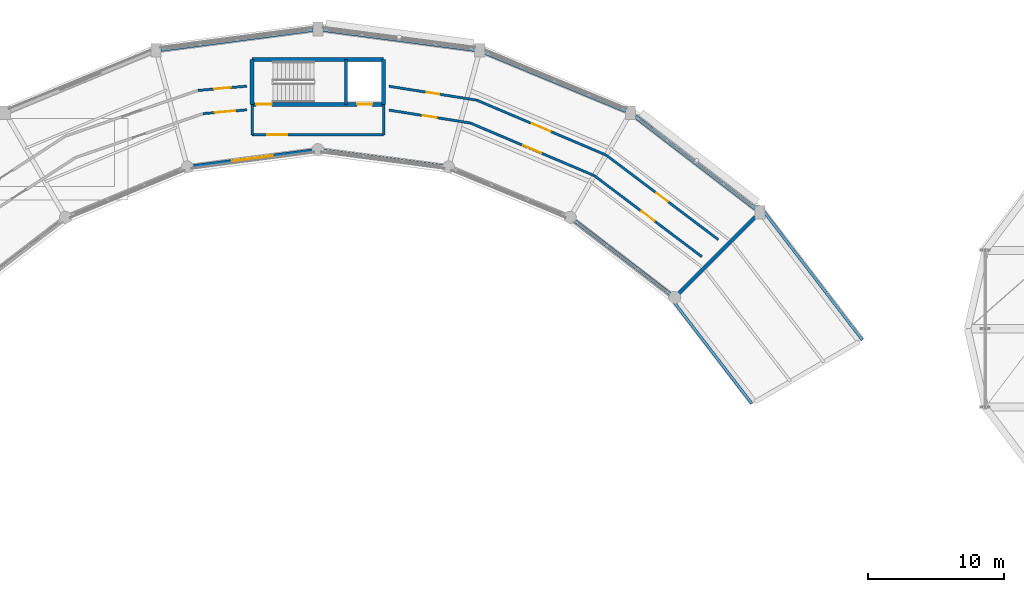
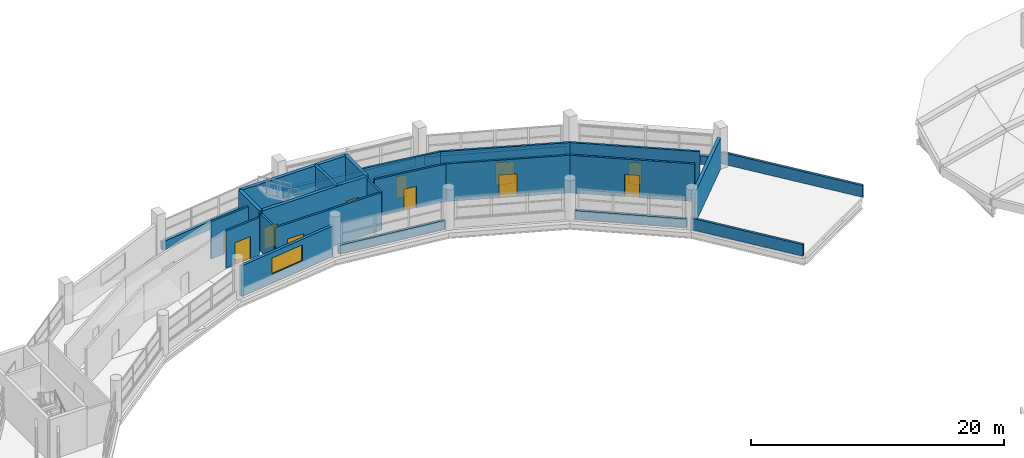
# One storey, part 78 of 88: 26 walls, 11 doors, 1 window, 12 openings.
"""IFC4 building model written with IfcOpenShell, lengths in metres."""

from ifc_helpers import new_model, si_unit, direction, frame, frame_2d, origin, place, context, subcontext, project, spatial, rectangle, extrude, material, layer, layer_set, type_object, element, fill, save


model = new_model("IFC4")

# Units and contexts
model_context = context("Model", 3, precision=1e-05, world=origin(), true_north=direction((0.0, 1.0)))
body_context = subcontext(model_context, "Body", "Model", "MODEL_VIEW")
ifc_project = project(units=[si_unit("LENGTHUNIT", "METRE"), si_unit("AREAUNIT", "SQUARE_METRE"), si_unit("VOLUMEUNIT", "CUBIC_METRE"), si_unit("PLANEANGLEUNIT", "RADIAN"), si_unit("MASSUNIT", "GRAM", prefix="KILO")], contexts=[model_context])

# Site, building, storey
site_placement = place(None, origin())
site = spatial("IfcSite", under=ifc_project, at=site_placement, CompositionType="ELEMENT")
building_placement = place(site_placement, origin())
building = spatial("IfcBuilding", under=site, at=building_placement, Name="Vespera Passage Community Centre", CompositionType="ELEMENT")
storey_placement = place(building_placement, frame((0.0, 0.0, 16.5)))
storey = spatial("IfcBuildingStorey", under=building, at=storey_placement, Name="L04", CompositionType="ELEMENT", Elevation=16.5)

# Wall, openings, doors
ifc_material_1 = material(Name="Concrete f'c 45 MPa", Category="concrete")
ifc_layer_1 = layer(ifc_material_1, 0.300048828125)
ifc_layer_set_1 = layer_set([ifc_layer_1], Name="Concrete f'c 45 MPa")
wall_type_1 = type_object("IfcWallType", Name="WT-CORE-300I", PredefinedType="SHEAR", material=ifc_layer_set_1)
wall_1_placement = place(storey_placement, frame((82.844970703125, 106.050048828125, 0.0), z_axis=(0.0, 0.0, 1.0), x_axis=(-1.0, 0.0, 0.0)))
wall_1 = element("IfcWall", 1, at=wall_1_placement, inside=storey, type_object=wall_type_1, Name="Core C4 L04 Shear Wall FRONT", PredefinedType="SHEAR", context=body_context, shape_type="SweptSolid", body=[
    extrude(rectangle(XDim=9.68994140625, YDim=0.300048828125, at=frame_2d((4.844970703125, 0.0))), origin(), (0.0, 0.0, 1.0), 3.89990234375),
])
opening_1_placement = place(wall_1_placement, frame((8.2451171875, 0.0, 0.0)))
opening_1 = element("IfcOpeningElement", 2, at=opening_1_placement, cuts=wall_1, Name="Opening DT-STAIR-90", PredefinedType="OPENING", context=body_context, shape_type="SweptSolid", body=[
    extrude(rectangle(XDim=1.14990234375, YDim=2.14990234375, at=frame_2d((0.574951171875, 1.074951171875))), frame((0.0, 0.159912109375, 0.0), z_axis=(0.0, -1.0, 0.0), x_axis=(1.0, 0.0, 0.0)), (0.0, 0.0, 1.0), 0.320068359375),
])
opening_2_placement = place(wall_1_placement, frame((0.85009765625, 0.0, 0.0)))
opening_2 = element("IfcOpeningElement", 3, at=opening_2_placement, cuts=wall_1, Name="Opening DT-LIFT-110", PredefinedType="OPENING", context=body_context, shape_type="SweptSolid", body=[
    extrude(rectangle(XDim=1.10009765625, YDim=2.14990234375, at=frame_2d((0.550048828125, 1.074951171875))), frame((0.0, 0.159912109375, 0.0), z_axis=(0.0, -1.0, 0.0), x_axis=(1.0, 0.0, 0.0)), (0.0, 0.0, 1.0), 0.320068359375),
])
ifc_material_2 = material(Name="Painted hollow-metal acoustic door", Category="steel")
door_type_1 = type_object("IfcDoorType", Name="DT-LIFT-110", OperationType="NOTDEFINED", PredefinedType="DOOR", material=ifc_material_2)
door_1_placement = place(opening_2_placement, origin())
door_1 = element("IfcDoor", 4, at=door_1_placement, inside=storey, type_object=door_type_1, Name="Elevator EL-02 L04 Landing Door LD-021", OperationType="SLIDING_TO_LEFT", OverallHeight=2.14990234375, OverallWidth=1.10009765625, PredefinedType="DOOR", context=body_context, shape_type="SweptSolid", body=[
    extrude(rectangle(XDim=1.10009765625, YDim=2.14990234375, at=frame_2d((0.550048828125, 1.074951171875))), frame((0.0, 0.02490234375, 0.0), z_axis=(0.0, -1.0, 0.0), x_axis=(1.0, 0.0, 0.0)), (0.0, 0.0, 1.0), 0.050048828125),
])
fill(opening_2, door_1)
ifc_material_3 = material(Name="Painted hollow-metal acoustic door", Category="steel")
door_type_2 = type_object("IfcDoorType", Name="DT-STAIR-90", OperationType="NOTDEFINED", PredefinedType="DOOR", material=ifc_material_3)
door_2_placement = place(opening_1_placement, origin())
door_2 = element("IfcDoor", 5, at=door_2_placement, inside=storey, type_object=door_type_2, Name="Core C4 L04 Exit Stair Door D-096", OperationType="SINGLE_SWING_RIGHT", OverallHeight=2.14990234375, OverallWidth=1.14990234375, PredefinedType="DOOR", context=body_context, shape_type="SweptSolid", body=[
    extrude(rectangle(XDim=1.14990234375, YDim=2.14990234375, at=frame_2d((0.574951171875, 1.074951171875))), frame((0.0, 0.02490234375, 0.0), z_axis=(0.0, -1.0, 0.0), x_axis=(1.0, 0.0, 0.0)), (0.0, 0.0, 1.0), 0.050048828125),
])
fill(opening_1, door_2)

# Walls
wall_2_placement = place(storey_placement, frame((73.155029296875, 106.050048828125, 0.0), z_axis=(0.0, 0.0, 1.0), x_axis=(0.0, 1.0, 0.0)))
element("IfcWall", 6, at=wall_2_placement, inside=storey, type_object=wall_type_1, Name="Core C4 L04 Shear Wall LEFT", PredefinedType="SHEAR", context=body_context, shape_type="SweptSolid", body=[
    extrude(rectangle(XDim=3.300048828125, YDim=0.300048828125, at=frame_2d((1.64990234375, 0.0))), origin(), (0.0, 0.0, 1.0), 3.89990234375),
])
wall_3_placement = place(storey_placement, frame((73.155029296875, 109.35009765625, 0.0), z_axis=(0.0, 0.0, 1.0), x_axis=(1.0, 0.0, 0.0)))
element("IfcWall", 7, at=wall_3_placement, inside=storey, type_object=wall_type_1, Name="Core C4 L04 Shear Wall BACK", PredefinedType="SHEAR", context=body_context, shape_type="SweptSolid", body=[
    extrude(rectangle(XDim=9.68994140625, YDim=0.300048828125, at=frame_2d((4.844970703125, 0.0))), origin(), (0.0, 0.0, 1.0), 3.89990234375),
])
wall_4_placement = place(storey_placement, frame((82.844970703125, 109.35009765625, 0.0), z_axis=(0.0, 0.0, 1.0), x_axis=(0.0, -1.0, 0.0)))
element("IfcWall", 8, at=wall_4_placement, inside=storey, type_object=wall_type_1, Name="Core C4 L04 Shear Wall RIGHT", PredefinedType="SHEAR", context=body_context, shape_type="SweptSolid", body=[
    extrude(rectangle(XDim=3.300048828125, YDim=0.300048828125, at=frame_2d((1.64990234375, 0.0))), origin(), (0.0, 0.0, 1.0), 3.89990234375),
])

# Wall, opening, door
ifc_material_4 = material(Name="Gypsum board acoustic stud partition")
ifc_layer_2 = layer(ifc_material_4, 0.179931640625)
ifc_layer_set_2 = layer_set([ifc_layer_2], Name="Gypsum board acoustic stud partition")
wall_type_2 = type_object("IfcWallType", Name="WT-CORR-180I", PredefinedType="PARTITIONING", material=ifc_layer_set_2)
wall_5_placement = place(storey_placement, frame((73.155029296875, 103.800048828125, 0.0), z_axis=(0.0, 0.0, 1.0), x_axis=(1.0, 0.0, 0.0)))
wall_5 = element("IfcWall", 9, at=wall_5_placement, inside=storey, type_object=wall_type_2, Name="Core C4 L04 Lift Lobby Front Wall", PredefinedType="PARTITIONING", context=body_context, shape_type="SweptSolid", body=[
    extrude(rectangle(XDim=9.68994140625, YDim=0.179931640625, at=frame_2d((4.844970703125, 0.0))), origin(), (0.0, 0.0, 1.0), 3.635009765625),
])
opening_3_placement = place(wall_5_placement, frame((1.10009765625, 0.0, 0.0)))
opening_3 = element("IfcOpeningElement", 10, at=opening_3_placement, cuts=wall_5, Name="Opening DT-CORR-150", PredefinedType="OPENING", context=body_context, shape_type="SweptSolid", body=[
    extrude(rectangle(XDim=1.5, YDim=2.14990234375, at=frame_2d((0.75, 1.074951171875))), frame((0.0, 0.099853515625, 0.0), z_axis=(0.0, -1.0, 0.0), x_axis=(1.0, 0.0, 0.0)), (0.0, 0.0, 1.0), 0.199951171875),
])
ifc_material_5 = material(Name="Painted hollow-metal acoustic door", Category="steel")
door_type_3 = type_object("IfcDoorType", Name="DT-CORR-150", OperationType="NOTDEFINED", PredefinedType="DOOR", material=ifc_material_5)
door_3_placement = place(opening_3_placement, origin())
door_3 = element("IfcDoor", 11, at=door_3_placement, inside=storey, type_object=door_type_3, Name="Core C4 L04 Lift Lobby Door D-097", OperationType="SINGLE_SWING_LEFT", OverallHeight=2.14990234375, OverallWidth=1.5, PredefinedType="DOOR", context=body_context, shape_type="SweptSolid", body=[
    extrude(rectangle(XDim=1.5, YDim=2.14990234375, at=frame_2d((0.75, 1.074951171875))), frame((0.0, 0.02490234375, 0.0), z_axis=(0.0, -1.0, 0.0), x_axis=(1.0, 0.0, 0.0)), (0.0, 0.0, 1.0), 0.050048828125),
])
fill(opening_3, door_3)

# Walls
for number, where, z_axis, x_axis, name in (
    (12, (73.155029296875, 106.050048828125, 0.0), (0.0, 0.0, 1.0), (0.0, -1.0, 0.0), "Core C4 L04 Lift Lobby Side Wall L"),
    (13, (82.844970703125, 106.050048828125, 0.0), (0.0, 0.0, 1.0), (0.0, -1.0, 0.0), "Core C4 L04 Lift Lobby Side Wall R"),
):
    element("IfcWall", number, at=place(storey_placement, frame(where, z_axis=z_axis, x_axis=x_axis)), inside=storey, type_object=wall_type_2, Name=name, PredefinedType="PARTITIONING", context=body_context, shape_type="SweptSolid", body=[
        extrude(rectangle(XDim=2.25, YDim=0.179931640625, at=frame_2d((1.125, 0.0))), origin(), (0.0, 0.0, 1.0), 3.635009765625),
    ])

# Wall, opening, door
wall_6_placement = place(storey_placement, frame((107.52294921875, 96.072021484375, 0.0), z_axis=(0.0, 0.0, 1.0), x_axis=(-0.798634745904, 0.601816037203, 0.0)))
wall_6 = element("IfcWall", 14, at=wall_6_placement, inside=storey, type_object=wall_type_2, Name="L04 Interior Partition V4-L04-CO01.1", PredefinedType="PARTITIONING", context=body_context, shape_type="SweptSolid", body=[
    extrude(rectangle(XDim=10.35888671875, YDim=0.179931640625, at=frame_2d((5.179443359375, 0.0))), origin(), (0.0, 0.0, 1.0), 3.635009765625),
])
opening_4_placement = place(wall_6_placement, frame((4.654541015625, 0.0, 0.0)))
opening_4 = element("IfcOpeningElement", 15, at=opening_4_placement, cuts=wall_6, Name="Opening DT-CORR-105", PredefinedType="OPENING", context=body_context, shape_type="SweptSolid", body=[
    extrude(rectangle(XDim=1.050048828125, YDim=2.10009765625, at=frame_2d((0.52490234375, 1.050048828125))), frame((0.0, 0.099853515625, 0.0), z_axis=(0.0, -1.0, 0.0), x_axis=(1.0, 0.0, 0.0)), (0.0, 0.0, 1.0), 0.199951171875),
])
ifc_material_6 = material(Name="Painted hollow-metal acoustic door", Category="steel")
door_type_4 = type_object("IfcDoorType", Name="DT-CORR-105", OperationType="NOTDEFINED", PredefinedType="DOOR", material=ifc_material_6)
door_4_placement = place(opening_4_placement, origin())
door_4 = element("IfcDoor", 16, at=door_4_placement, inside=storey, type_object=door_type_4, Name="L04 Interior Door D-263", OperationType="SINGLE_SWING_LEFT", OverallHeight=2.10009765625, OverallWidth=1.050048828125, PredefinedType="DOOR", context=body_context, shape_type="SweptSolid", body=[
    extrude(rectangle(XDim=1.050048828125, YDim=2.10009765625, at=frame_2d((0.52490234375, 1.050048828125))), frame((0.0, 0.02490234375, 0.0), z_axis=(0.0, -1.0, 0.0), x_axis=(1.0, 0.0, 0.0)), (0.0, 0.0, 1.0), 0.050048828125),
])
fill(opening_4, door_4)

wall_7_placement = place(storey_placement, frame((106.307373046875, 94.81298828125, 0.0), z_axis=(0.0, 0.0, 1.0), x_axis=(-0.798632256967, 0.601819340112, 0.0)))
wall_7 = element("IfcWall", 17, at=wall_7_placement, inside=storey, type_object=wall_type_2, Name="L04 Interior Partition V4-L04-CI01.1", PredefinedType="PARTITIONING", context=body_context, shape_type="SweptSolid", body=[
    extrude(rectangle(XDim=9.932373046875, YDim=0.179931640625, at=frame_2d((4.96630859375, 0.0))), origin(), (0.0, 0.0, 1.0), 3.635009765625),
])
opening_5_placement = place(wall_7_placement, frame((4.3662109375, 0.0, 0.0)))
opening_5 = element("IfcOpeningElement", 18, at=opening_5_placement, cuts=wall_7, Name="Opening DT-CORR-120", PredefinedType="OPENING", context=body_context, shape_type="SweptSolid", body=[
    extrude(rectangle(XDim=1.199951171875, YDim=2.14990234375, at=frame_2d((0.60009765625, 1.074951171875))), frame((0.0, 0.099853515625, 0.0), z_axis=(0.0, -1.0, 0.0), x_axis=(1.0, 0.0, 0.0)), (0.0, 0.0, 1.0), 0.199951171875),
])
ifc_material_7 = material(Name="Painted hollow-metal acoustic door", Category="steel")
door_type_5 = type_object("IfcDoorType", Name="DT-CORR-120", OperationType="NOTDEFINED", PredefinedType="DOOR", material=ifc_material_7)
door_5_placement = place(opening_5_placement, origin())
door_5 = element("IfcDoor", 19, at=door_5_placement, inside=storey, type_object=door_type_5, Name="L04 Interior Door D-264", OperationType="SINGLE_SWING_RIGHT", OverallHeight=2.14990234375, OverallWidth=1.199951171875, PredefinedType="DOOR", context=body_context, shape_type="SweptSolid", body=[
    extrude(rectangle(XDim=1.199951171875, YDim=2.14990234375, at=frame_2d((0.60009765625, 1.074951171875))), frame((0.0, 0.02490234375, 0.0), z_axis=(0.0, -1.0, 0.0), x_axis=(1.0, 0.0, 0.0)), (0.0, 0.0, 1.0), 0.050048828125),
])
fill(opening_5, door_5)

wall_8_placement = place(storey_placement, frame((99.25, 102.30615234375, 0.0), z_axis=(0.0, 0.0, 1.0), x_axis=(-0.920510896456, 0.390716891759, 0.0)))
wall_8 = element("IfcWall", 20, at=wall_8_placement, inside=storey, type_object=wall_type_2, Name="L04 Interior Partition V4-L04-CO02.1", PredefinedType="PARTITIONING", context=body_context, shape_type="SweptSolid", body=[
    extrude(rectangle(XDim=10.35888671875, YDim=0.179931640625, at=frame_2d((5.179443359375, 0.0))), origin(), (0.0, 0.0, 1.0), 3.635009765625),
])
opening_6_placement = place(wall_8_placement, frame((4.429443359375, 0.0, 0.0)))
opening_6 = element("IfcOpeningElement", 21, at=opening_6_placement, cuts=wall_8, Name="Opening DT-CORR-150", PredefinedType="OPENING", context=body_context, shape_type="SweptSolid", body=[
    extrude(rectangle(XDim=1.5, YDim=2.14990234375, at=frame_2d((0.75, 1.074951171875))), frame((0.0, 0.099853515625, 0.0), z_axis=(0.0, -1.0, 0.0), x_axis=(1.0, 0.0, 0.0)), (0.0, 0.0, 1.0), 0.199951171875),
])
door_6_placement = place(opening_6_placement, origin())
door_6 = element("IfcDoor", 22, at=door_6_placement, inside=storey, type_object=door_type_3, Name="L04 Interior Door D-265", OperationType="SINGLE_SWING_LEFT", OverallHeight=2.14990234375, OverallWidth=1.5, PredefinedType="DOOR", context=body_context, shape_type="SweptSolid", body=[
    extrude(rectangle(XDim=1.5, YDim=2.14990234375, at=frame_2d((0.75, 1.074951171875))), frame((0.0, 0.02490234375, 0.0), z_axis=(0.0, -1.0, 0.0), x_axis=(1.0, 0.0, 0.0)), (0.0, 0.0, 1.0), 0.050048828125),
])
fill(opening_6, door_6)

wall_9_placement = place(storey_placement, frame((98.375, 100.79052734375, 0.0), z_axis=(0.0, 0.0, 1.0), x_axis=(-0.920506244917, 0.390727850388, 0.0)))
wall_9 = element("IfcWall", 23, at=wall_9_placement, inside=storey, type_object=wall_type_2, Name="L04 Interior Partition V4-L04-CI02.1", PredefinedType="PARTITIONING", context=body_context, shape_type="SweptSolid", body=[
    extrude(rectangle(XDim=9.932373046875, YDim=0.179931640625, at=frame_2d((4.96630859375, 0.0))), origin(), (0.0, 0.0, 1.0), 3.635009765625),
])
opening_7_placement = place(wall_9_placement, frame((4.2412109375, 0.0, 0.0)))
opening_7 = element("IfcOpeningElement", 24, at=opening_7_placement, cuts=wall_9, Name="Opening DT-PLANT-145", PredefinedType="OPENING", context=body_context, shape_type="SweptSolid", body=[
    extrude(rectangle(XDim=1.449951171875, YDim=2.199951171875, at=frame_2d((0.72509765625, 1.10009765625))), frame((0.0, 0.099853515625, 0.0), z_axis=(0.0, -1.0, 0.0), x_axis=(1.0, 0.0, 0.0)), (0.0, 0.0, 1.0), 0.199951171875),
])
ifc_material_8 = material(Name="Painted hollow-metal acoustic door", Category="steel")
door_type_6 = type_object("IfcDoorType", Name="DT-PLANT-145", OperationType="NOTDEFINED", PredefinedType="DOOR", material=ifc_material_8)
door_7_placement = place(opening_7_placement, origin())
door_7 = element("IfcDoor", 25, at=door_7_placement, inside=storey, type_object=door_type_6, Name="L04 Interior Door D-266", OperationType="SINGLE_SWING_RIGHT", OverallHeight=2.199951171875, OverallWidth=1.449951171875, PredefinedType="DOOR", context=body_context, shape_type="SweptSolid", body=[
    extrude(rectangle(XDim=1.449951171875, YDim=2.199951171875, at=frame_2d((0.72509765625, 1.10009765625))), frame((0.0, 0.02490234375, 0.0), z_axis=(0.0, -1.0, 0.0), x_axis=(1.0, 0.0, 0.0)), (0.0, 0.0, 1.0), 0.050048828125),
])
fill(opening_7, door_7)

wall_10_placement = place(storey_placement, frame((89.714599609375, 106.353515625, 0.0), z_axis=(0.0, 0.0, 1.0), x_axis=(-0.987682749699, 0.15646976049, 0.0)))
wall_10 = element("IfcWall", 26, at=wall_10_placement, inside=storey, type_object=wall_type_2, Name="L04 Interior Partition V4-L04-CO03.1", PredefinedType="PARTITIONING", context=body_context, shape_type="SweptSolid", body=[
    extrude(rectangle(XDim=6.550048828125, YDim=0.179931640625, at=frame_2d((3.27490234375, 0.0))), origin(), (0.0, 0.0, 1.0), 3.635009765625),
])
opening_8_placement = place(wall_10_placement, frame((2.800048828125, 0.0, 0.0)))
opening_8 = element("IfcOpeningElement", 27, at=opening_8_placement, cuts=wall_10, Name="Opening DT-CORR-95", PredefinedType="OPENING", context=body_context, shape_type="SweptSolid", body=[
    extrude(rectangle(XDim=0.949951171875, YDim=2.10009765625, at=frame_2d((0.47509765625, 1.050048828125))), frame((0.0, 0.099853515625, 0.0), z_axis=(0.0, -1.0, 0.0), x_axis=(1.0, 0.0, 0.0)), (0.0, 0.0, 1.0), 0.199951171875),
])
ifc_material_9 = material(Name="Painted hollow-metal acoustic door", Category="steel")
door_type_7 = type_object("IfcDoorType", Name="DT-CORR-95", OperationType="NOTDEFINED", PredefinedType="DOOR", material=ifc_material_9)
door_8_placement = place(opening_8_placement, origin())
door_8 = element("IfcDoor", 28, at=door_8_placement, inside=storey, type_object=door_type_7, Name="L04 Interior Door D-267", OperationType="SINGLE_SWING_LEFT", OverallHeight=2.10009765625, OverallWidth=0.949951171875, PredefinedType="DOOR", context=body_context, shape_type="SweptSolid", body=[
    extrude(rectangle(XDim=0.949951171875, YDim=2.10009765625, at=frame_2d((0.47509765625, 1.050048828125))), frame((0.0, 0.02490234375, 0.0), z_axis=(0.0, -1.0, 0.0), x_axis=(1.0, 0.0, 0.0)), (0.0, 0.0, 1.0), 0.050048828125),
])
fill(opening_8, door_8)

wall_11_placement = place(storey_placement, frame((89.232177734375, 104.67138671875, 0.0), z_axis=(0.0, 0.0, 1.0), x_axis=(-0.987688724115, 0.15643204357, 0.0)))
wall_11 = element("IfcWall", 29, at=wall_11_placement, inside=storey, type_object=wall_type_2, Name="L04 Interior Partition V4-L04-CI03.1", PredefinedType="PARTITIONING", context=body_context, shape_type="SweptSolid", body=[
    extrude(rectangle(XDim=6.061767578125, YDim=0.179931640625, at=frame_2d((3.03076171875, 0.0))), origin(), (0.0, 0.0, 1.0), 3.635009765625),
])
opening_9_placement = place(wall_11_placement, frame((2.505859375, 0.0, 0.0)))
opening_9 = element("IfcOpeningElement", 30, at=opening_9_placement, cuts=wall_11, Name="Opening DT-CORR-105", PredefinedType="OPENING", context=body_context, shape_type="SweptSolid", body=[
    extrude(rectangle(XDim=1.050048828125, YDim=2.10009765625, at=frame_2d((0.52490234375, 1.050048828125))), frame((0.0, 0.099853515625, 0.0), z_axis=(0.0, -1.0, 0.0), x_axis=(1.0, 0.0, 0.0)), (0.0, 0.0, 1.0), 0.199951171875),
])
door_9_placement = place(opening_9_placement, origin())
door_9 = element("IfcDoor", 31, at=door_9_placement, inside=storey, type_object=door_type_4, Name="L04 Interior Door D-268", OperationType="SINGLE_SWING_RIGHT", OverallHeight=2.10009765625, OverallWidth=1.050048828125, PredefinedType="DOOR", context=body_context, shape_type="SweptSolid", body=[
    extrude(rectangle(XDim=1.050048828125, YDim=2.10009765625, at=frame_2d((0.52490234375, 1.050048828125))), frame((0.0, 0.02490234375, 0.0), z_axis=(0.0, -1.0, 0.0), x_axis=(1.0, 0.0, 0.0)), (0.0, 0.0, 1.0), 0.050048828125),
])
fill(opening_9, door_9)

wall_12_placement = place(storey_placement, frame((72.7548828125, 107.385498046875, 0.0), z_axis=(0.0, 0.0, 1.0), x_axis=(-0.996193938033, -0.087164429822, 0.0)))
wall_12 = element("IfcWall", 32, at=wall_12_placement, inside=storey, type_object=wall_type_2, Name="L04 Interior Partition V4-L04-CO04.1", PredefinedType="PARTITIONING", context=body_context, shape_type="SweptSolid", body=[
    extrude(rectangle(XDim=3.604736328125, YDim=0.179931640625, at=frame_2d((1.80224609375, 0.0))), origin(), (0.0, 0.0, 1.0), 3.635009765625),
])
opening_10_placement = place(wall_12_placement, frame((1.202392578125, 0.0, 0.0)))
opening_10 = element("IfcOpeningElement", 33, at=opening_10_placement, cuts=wall_12, Name="Opening DT-CORR-120", PredefinedType="OPENING", context=body_context, shape_type="SweptSolid", body=[
    extrude(rectangle(XDim=1.199951171875, YDim=2.14990234375, at=frame_2d((0.60009765625, 1.074951171875))), frame((0.0, 0.099853515625, 0.0), z_axis=(0.0, -1.0, 0.0), x_axis=(1.0, 0.0, 0.0)), (0.0, 0.0, 1.0), 0.199951171875),
])
door_10_placement = place(opening_10_placement, origin())
door_10 = element("IfcDoor", 34, at=door_10_placement, inside=storey, type_object=door_type_5, Name="L04 Interior Door D-269", OperationType="SINGLE_SWING_LEFT", OverallHeight=2.14990234375, OverallWidth=1.199951171875, PredefinedType="DOOR", context=body_context, shape_type="SweptSolid", body=[
    extrude(rectangle(XDim=1.199951171875, YDim=2.14990234375, at=frame_2d((0.60009765625, 1.074951171875))), frame((0.0, 0.02490234375, 0.0), z_axis=(0.0, -1.0, 0.0), x_axis=(1.0, 0.0, 0.0)), (0.0, 0.0, 1.0), 0.050048828125),
])
fill(opening_10, door_10)

wall_13_placement = place(storey_placement, frame((72.7548828125, 105.641845703125, 0.0), z_axis=(0.0, 0.0, 1.0), x_axis=(-0.996198051658, -0.087117402808, 0.0)))
wall_13 = element("IfcWall", 35, at=wall_13_placement, inside=storey, type_object=wall_type_2, Name="L04 Interior Partition V4-L04-CI04.1", PredefinedType="PARTITIONING", context=body_context, shape_type="SweptSolid", body=[
    extrude(rectangle(XDim=3.239501953125, YDim=0.179931640625, at=frame_2d((1.61962890625, 0.0))), origin(), (0.0, 0.0, 1.0), 3.635009765625),
])
opening_11_placement = place(wall_13_placement, frame((0.869873046875, 0.0, 0.0)))
opening_11 = element("IfcOpeningElement", 36, at=opening_11_placement, cuts=wall_13, Name="Opening DT-CORR-150", PredefinedType="OPENING", context=body_context, shape_type="SweptSolid", body=[
    extrude(rectangle(XDim=1.5, YDim=2.14990234375, at=frame_2d((0.75, 1.074951171875))), frame((0.0, 0.099853515625, 0.0), z_axis=(0.0, -1.0, 0.0), x_axis=(1.0, 0.0, 0.0)), (0.0, 0.0, 1.0), 0.199951171875),
])
door_11_placement = place(opening_11_placement, origin())
door_11 = element("IfcDoor", 37, at=door_11_placement, inside=storey, type_object=door_type_3, Name="L04 Interior Door D-270", OperationType="SINGLE_SWING_RIGHT", OverallHeight=2.14990234375, OverallWidth=1.5, PredefinedType="DOOR", context=body_context, shape_type="SweptSolid", body=[
    extrude(rectangle(XDim=1.5, YDim=2.14990234375, at=frame_2d((0.75, 1.074951171875))), frame((0.0, 0.02490234375, 0.0), z_axis=(0.0, -1.0, 0.0), x_axis=(1.0, 0.0, 0.0)), (0.0, 0.0, 1.0), 0.050048828125),
])
fill(opening_11, door_11)

# Walls
ifc_material_10 = material(Name="Concrete f'c 45 MPa", Category="concrete")
ifc_layer_3 = layer(ifc_material_10, 0.239990234375)
ifc_layer_set_3 = layer_set([ifc_layer_3], Name="Concrete f'c 45 MPa")
wall_type_3 = type_object("IfcWallType", Name="WT-DIV-240I", PredefinedType="SHEAR", material=ifc_layer_set_3)
wall_14_placement = place(storey_placement, frame((80.074951171875, 106.050048828125, 0.0), z_axis=(0.0, 0.0, 1.0), x_axis=(0.0, 1.0, 0.0)))
element("IfcWall", 38, at=wall_14_placement, inside=storey, type_object=wall_type_3, Name="Core C4 L04 Hoistway Divider Wall", PredefinedType="SHEAR", context=body_context, shape_type="SweptSolid", body=[
    extrude(rectangle(XDim=3.300048828125, YDim=0.239990234375, at=frame_2d((1.64990234375, 0.0))), origin(), (0.0, 0.0, 1.0), 3.89990234375),
])
ifc_material_11 = material(Name="Precast concrete f'c 40 MPa", Category="concrete")
ifc_layer_4 = layer(ifc_material_11, 0.25)
ifc_layer_set_4 = layer_set([ifc_layer_4], Name="Precast concrete f'c 40 MPa")
wall_type_4 = type_object("IfcWallType", Name="WT-EXT-250E", PredefinedType="STANDARD", material=ifc_layer_set_4)
wall_15_placement = place(storey_placement, frame((104.024169921875, 92.019287109375, 0.0), z_axis=(0.0, 0.0, 1.0), x_axis=(-0.793347085527, 0.608769580289, 0.0)))
element("IfcWall", 39, at=wall_15_placement, inside=storey, type_object=wall_type_4, Name="V4 L04 Court Spandrel Wall I3", PredefinedType="STANDARD", context=body_context, shape_type="SweptSolid", body=[
    extrude(rectangle(XDim=9.0048828125, YDim=0.25, at=frame_2d((4.50244140625, 0.0))), origin(), (0.0, 0.0, 1.0), 0.820068359375),
])
wall_16_placement = place(storey_placement, frame((87.352783203125, 101.468505859375, 0.0), z_axis=(0.0, 0.0, 1.0), x_axis=(-0.991441766434, 0.130549698469, 0.0)))
element("IfcWall", 40, at=wall_16_placement, inside=storey, type_object=wall_type_4, Name="V4 L04 Court Spandrel Wall I5", PredefinedType="STANDARD", context=body_context, shape_type="SweptSolid", body=[
    extrude(rectangle(XDim=9.156005859375, YDim=0.25, at=frame_2d((4.578125, 0.0))), origin(), (0.0, 0.0, 1.0), 0.820068359375),
])

# Wall, opening, window
wall_17_placement = place(storey_placement, frame((77.724853515625, 102.663818359375, 0.0), z_axis=(0.0, 0.0, 1.0), x_axis=(-0.991441766434, -0.130549698469, 0.0)))
wall_17 = element("IfcWall", 41, at=wall_17_placement, inside=storey, type_object=wall_type_4, Name="V4 L04 Inner Court Precast Wall 6", PredefinedType="STANDARD", context=body_context, shape_type="SweptSolid", body=[
    extrude(rectangle(XDim=9.156005859375, YDim=0.25, at=frame_2d((4.578125, 0.0))), origin(), (0.0, 0.0, 1.0), 2.929443359375),
])
opening_12_placement = place(wall_17_placement, frame((3.077880859375, 0.0, 0.85009765625)))
opening_12 = element("IfcOpeningElement", 42, at=opening_12_placement, cuts=wall_17, Name="Opening WN-17E", PredefinedType="OPENING", context=body_context, shape_type="SweptSolid", body=[
    extrude(rectangle(XDim=3.0, YDim=1.550048828125, at=frame_2d((1.5, 0.77490234375))), frame((0.0, 0.135009765625, 0.0), z_axis=(0.0, -1.0, 0.0), x_axis=(1.0, 0.0, 0.0)), (0.0, 0.0, 1.0), 0.27001953125),
])
ifc_material_12 = material(Name="Low-E insulated vision glass", Category="glass")
window_type = type_object("IfcWindowType", Name="WN-17E", PartitioningType="SINGLE_PANEL", PredefinedType="WINDOW", material=ifc_material_12)
window_placement = place(opening_12_placement, origin())
window = element("IfcWindow", 43, at=window_placement, inside=storey, type_object=window_type, Name="Window WN-V4-L04-I06", OverallHeight=1.550048828125, OverallWidth=3.0, PartitioningType="SINGLE_PANEL", PredefinedType="WINDOW", context=body_context, shape_type="SweptSolid", body=[
    extrude(rectangle(XDim=3.0, YDim=1.550048828125, at=frame_2d((1.5, 0.77490234375))), frame((0.0, 0.030029296875, 0.0), z_axis=(0.0, -1.0, 0.0), x_axis=(1.0, 0.0, 0.0)), (0.0, 0.0, 1.0), 0.06005859375),
])
fill(opening_12, window)

# Walls
ifc_material_13 = material(Name="Precast concrete f'c 40 MPa", Category="concrete")
ifc_layer_5 = layer(ifc_material_13, 0.280029296875)
ifc_layer_set_5 = layer_set([ifc_layer_5], Name="Precast concrete f'c 40 MPa")
wall_type_5 = type_object("IfcWallType", Name="WT-EXT-280E", PredefinedType="STANDARD", material=ifc_layer_set_5)
wall_18_placement = place(storey_placement, frame((101.4052734375, 105.1513671875, 0.0), z_axis=(0.0, 0.0, 1.0), x_axis=(0.793342066679, -0.608776120785, 0.0)))
element("IfcWall", 44, at=wall_18_placement, inside=storey, type_object=wall_type_5, Name="V4 L04 Spandrel Wall O3", PredefinedType="STANDARD", context=body_context, shape_type="SweptSolid", body=[
    extrude(rectangle(XDim=11.13916015625, YDim=0.280029296875, at=frame_2d((5.569580078125, 0.0))), origin(), (0.0, 0.0, 1.0), 0.820068359375),
])
wall_19_placement = place(storey_placement, frame((90.283447265625, 109.88330078125, 0.0), z_axis=(0.0, 0.0, 1.0), x_axis=(0.923883530636, -0.382673779896, 0.0)))
element("IfcWall", 45, at=wall_19_placement, inside=storey, type_object=wall_type_5, Name="V4 L04 Spandrel Wall O4", PredefinedType="STANDARD", context=body_context, shape_type="SweptSolid", body=[
    extrude(rectangle(XDim=11.2724609375, YDim=0.280029296875, at=frame_2d((5.63623046875, 0.0))), origin(), (0.0, 0.0, 1.0), 0.820068359375),
])
for number, where, z_axis, x_axis, name in (
    (46, (78.35009765625, 111.553955078125, 0.0), (0.0, 0.0, 1.0), (0.991443215359, -0.130538694334, 0.0), "V4 L04 Spandrel Wall O5"),
    (47, (66.418701171875, 110.0751953125, 0.0), (0.0, 0.0, 1.0), (0.991443215359, 0.130538694334, 0.0), "V4 L04 Spandrel Wall O6"),
):
    element("IfcWall", number, at=place(storey_placement, frame(where, z_axis=z_axis, x_axis=x_axis)), inside=storey, type_object=wall_type_5, Name=name, PredefinedType="STANDARD", context=body_context, shape_type="SweptSolid", body=[
        extrude(rectangle(XDim=11.328125, YDim=0.280029296875, at=frame_2d((5.6640625, 0.0))), origin(), (0.0, 0.0, 1.0), 0.820068359375),
    ])
wall_20_placement = place(storey_placement, frame((110.240234375, 97.740234375, 0.0), z_axis=(0.0, 0.0, 1.0), x_axis=(-0.707106781187, -0.707106781187, 0.0)))
element("IfcWall", 48, at=wall_20_placement, inside=storey, type_object=wall_type_5, Name="V4 L04 Radial End Facade Wall START", PredefinedType="STANDARD", context=body_context, shape_type="SweptSolid", body=[
    extrude(rectangle(XDim=7.995361328125, YDim=0.280029296875, at=frame_2d((3.99755859375, 0.0))), origin(), (0.0, 0.0, 1.0), 2.99658203125),
])
ifc_material_14 = material(Name="Precast concrete f'c 40 MPa", Category="concrete")
ifc_layer_6 = layer(ifc_material_14, 0.199951171875)
ifc_layer_set_6 = layer_set([ifc_layer_6], Name="Precast concrete f'c 40 MPa")
wall_type_6 = type_object("IfcWallType", Name="WT-PAR-200E", PredefinedType="PARAPET", material=ifc_layer_set_6)
wall_21_placement = place(storey_placement, frame((118.140380859375, 88.675048828125, 0.0), z_axis=(0.0, 0.0, 1.0), x_axis=(-0.608767399899, 0.79334875863, 0.0)))
element("IfcWall", 49, at=wall_21_placement, inside=storey, type_object=wall_type_6, Name="V4 L04 Step Roof Outer Parapet 1.1", PredefinedType="PARAPET", context=body_context, shape_type="SweptSolid", body=[
    extrude(rectangle(XDim=12.099853515625, YDim=0.199951171875, at=frame_2d((6.0498046875, 0.0))), origin(), (0.0, 0.0, 1.0), 1.1201171875),
])
wall_22_placement = place(storey_placement, frame((109.99951171875, 83.97509765625, 0.0), z_axis=(0.0, 0.0, 1.0), x_axis=(-0.608747657728, 0.793363907176, 0.0)))
element("IfcWall", 50, at=wall_22_placement, inside=storey, type_object=wall_type_6, Name="V4 L04 Step Roof Inner Parapet 1.1", PredefinedType="PARAPET", context=body_context, shape_type="SweptSolid", body=[
    extrude(rectangle(XDim=9.645751953125, YDim=0.199951171875, at=frame_2d((4.82275390625, 0.0))), origin(), (0.0, 0.0, 1.0), 1.1201171875),
])

save(model, "model.ifc")
